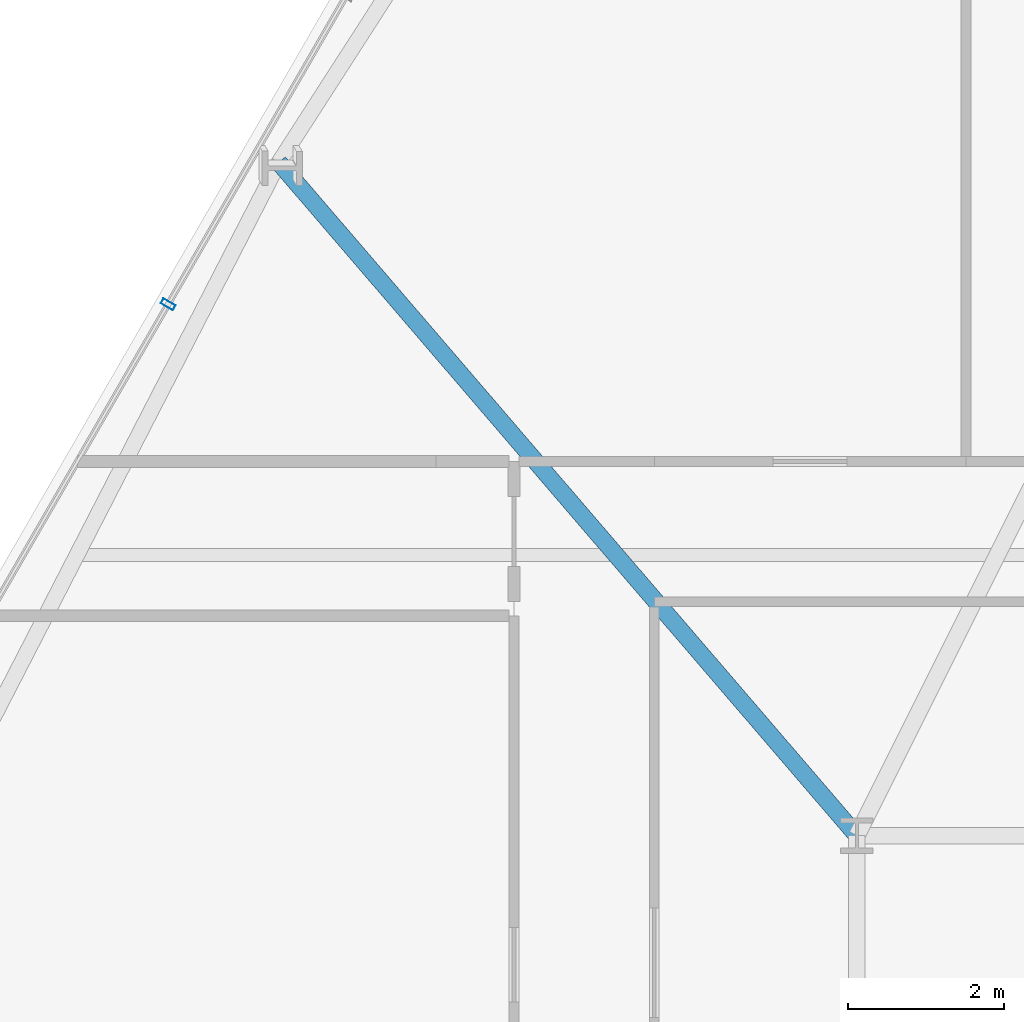
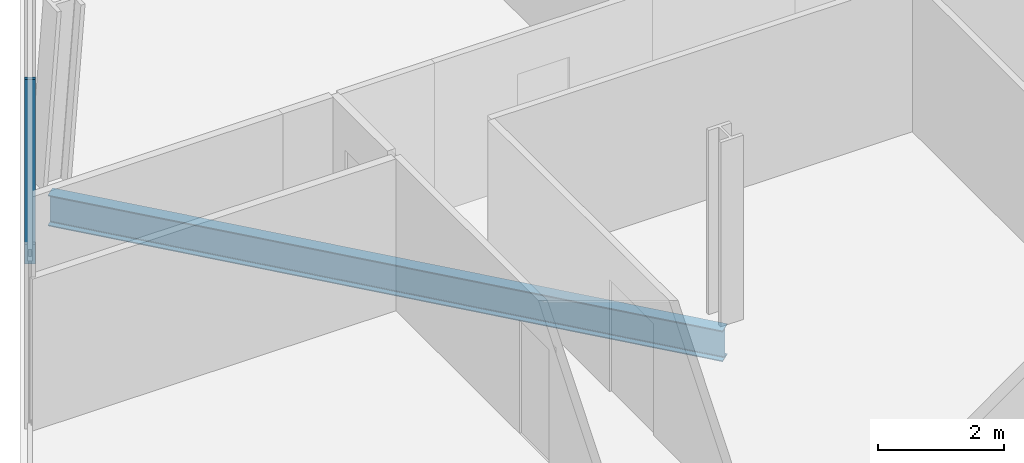
# One storey, part 12 of 32: 1 beam, 1 member, 1 element without a shape of its own.
"""IFC4 building model written with IfcOpenShell, lengths in metres."""

from ifc_helpers import new_model, si_unit, direction, frame, origin, origin_2d, place, context, subcontext, project, spatial, hollow_rectangle, i_section, extrude, material, layer, layer_set, material_profile, profile_set, type_object, element, aggregate, save


model = new_model("IFC4")

# Units and contexts
model_context = context("Model", 3, precision=1e-05, world=origin(), true_north=direction((0.0, 1.0)))
body_context = subcontext(model_context, "Body", "Model", "MODEL_VIEW")
ifc_project = project(units=[si_unit("LENGTHUNIT", "METRE"), si_unit("AREAUNIT", "SQUARE_METRE"), si_unit("VOLUMEUNIT", "CUBIC_METRE"), si_unit("PLANEANGLEUNIT", "RADIAN"), si_unit("MASSUNIT", "GRAM", prefix="KILO")], contexts=[model_context])

# Site, building, storey
site_placement = place(None, origin())
site = spatial("IfcSite", under=ifc_project, at=site_placement, CompositionType="ELEMENT")
building_placement = place(site_placement, origin())
building = spatial("IfcBuilding", under=site, at=building_placement, Name="Ndaravel Arena Tower", CompositionType="ELEMENT")
storey_placement = place(building_placement, frame((0.0, 0.0, 77.800048828125)))
storey = spatial("IfcBuildingStorey", under=building, at=storey_placement, Name="L17", CompositionType="ELEMENT", Elevation=77.800048828125)

# Beam
ifc_material_1 = material(Name="Steel S355", Category="steel")
ifc_material_profile_1 = material_profile(ifc_material_1, i_section(OverallWidth=0.219970703125, OverallDepth=0.60009765625, WebThickness=0.011962890625, FlangeThickness=0.01904296875, FilletRadius=0.02392578125, at=origin_2d()), Name="IPE 600")
ifc_profile_set_1 = profile_set([ifc_material_profile_1], Name="Steel S355")
beam_type = type_object("IfcBeamType", Name="BM-GIRD-IPE600", PredefinedType="BEAM", material=ifc_profile_set_1)
beam_placement = place(storey_placement, frame((26.783203125, 31.836181640625, -0.52001953125), z_axis=(0.651513436651, -0.758637094969, 0.0), x_axis=(0.758637094969, 0.651513436651, 0.0)))
element("IfcBeam", 1, at=beam_placement, inside=storey, type_object=beam_type, Name="L17 Radial Floor Girder FG-19", PredefinedType="BEAM", context=body_context, shape_type="SweptSolid", body=[
    extrude(i_section(OverallWidth=0.219970703125, OverallDepth=0.60009765625, WebThickness=0.011962890625, FlangeThickness=0.01904296875, FilletRadius=0.02392578125, at=origin_2d()), origin(), (0.0, 0.0, 1.0), 11.3837890625),
])

# Curtain wall, member
ifc_material_2 = material(Name="Aluminium", Category="aluminium")
ifc_layer = layer(ifc_material_2, 0.179931640625)
ifc_layer_set = layer_set([ifc_layer], Name="Aluminium")
curtain_wall_type = type_object("IfcCurtainWallType", Name="CW-SYS-03", PredefinedType="NOTDEFINED", material=ifc_layer_set)
curtain_wall_placement = place(storey_placement, origin())
curtain_wall = element("IfcCurtainWall", 2, at=curtain_wall_placement, inside=storey, type_object=curtain_wall_type, Name="L17 Faceted Crystal Curtain Wall CW-L17-E05", PredefinedType="NOTDEFINED")
ifc_material_3 = material(Name="Aluminium", Category="aluminium")
ifc_material_profile_2 = material_profile(ifc_material_3, hollow_rectangle(XDim=0.074951171875, YDim=0.179931640625, WallThickness=0.00390625, at=origin_2d()), Name="CW MULLION 75x180x4")
ifc_profile_set_2 = profile_set([ifc_material_profile_2], Name="Aluminium")
member_type = type_object("IfcMemberType", Name="MEM-CW-MUL180", PredefinedType="MULLION", material=ifc_profile_set_2)
member_placement = place(storey_placement, frame((25.362060546875, 30.014892578125, 0.0), z_axis=(0.0, 0.0, 1.0), x_axis=(-0.5, -0.866025403784, 0.0)))
member = element("IfcMember", 3, at=member_placement, type_object=member_type, Name="CW-L17-E05 Mullion 04", PredefinedType="MULLION", context=body_context, shape_type="SweptSolid", body=[
    extrude(hollow_rectangle(XDim=0.074951171875, YDim=0.179931640625, WallThickness=0.00390625, at=origin_2d()), origin(), (0.0, 0.0, 1.0), 3.579833984375),
])
aggregate(curtain_wall, [member])

save(model, "model.ifc")
